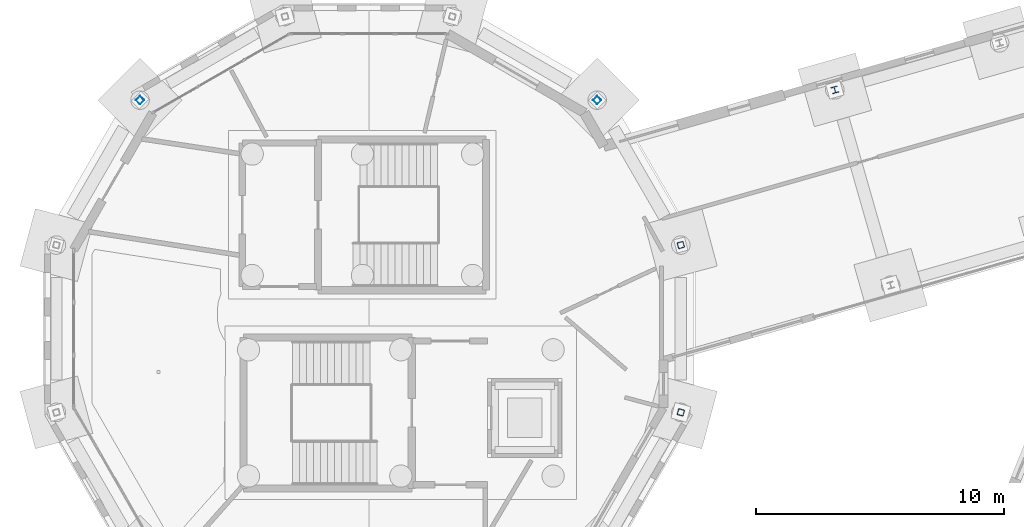
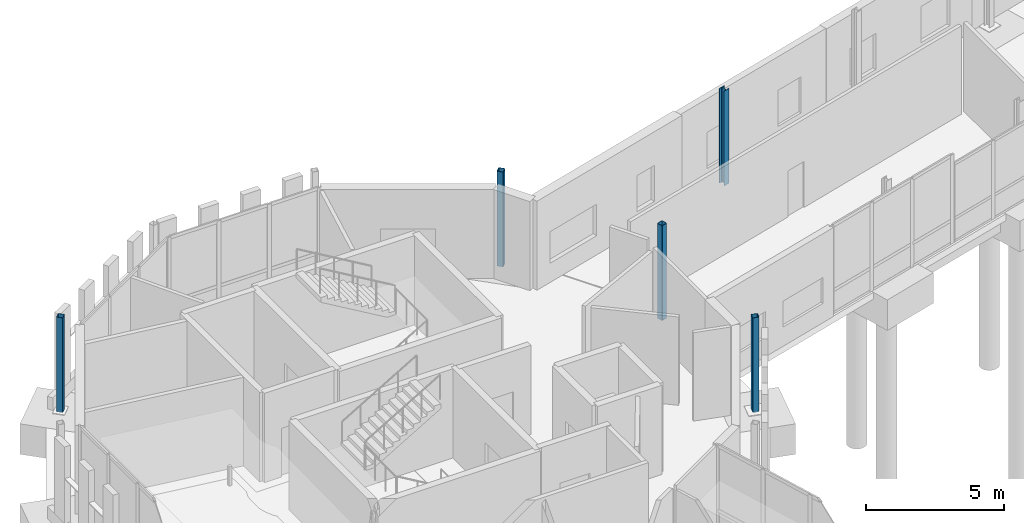
# One storey, part 13 of 113: 5 columns.
"""IFC4 building model written with IfcOpenShell, lengths in metres."""

import ifcopenshell
import ifcopenshell.guid

model = None  # the IFC model being written
_history = None  # IfcOwnerHistory: only IFC2X3 demands one
_inside = {}  # id of a spatial element -> (the spatial element, [elements in it])
_under = {}  # id of a project, library or spatial element -> (it, [spatial elements below it])
_declared = {}  # id of a project -> (the project, [libraries it declares])
_typed = {}  # id of a type object -> (the type object, [elements of that type])
_made_of = {}  # id of a material, layer set ... -> (it, [elements and type objects made of it])


def new_model(schema):
    """Start an empty IFC model of exactly this schema.

    Asked for "IFC4X3", IfcOpenShell would pick the latest addendum, in which some entities
    have other attributes; the version numbers below select the first issue.
    IFC2X3 requires an IfcOwnerHistory on every rooted entity: one is made here for all.
    """
    global model, _history
    if schema == "IFC4X3":
        model = ifcopenshell.file(schema_version=(4, 3, 0, 0))
    else:
        model = ifcopenshell.file(schema=schema)
    _inside.clear()
    _under.clear()
    _declared.clear()
    _typed.clear()
    _made_of.clear()
    _history = None
    if model.schema == "IFC2X3":
        org = make("IfcOrganization", Name="unknown")
        user = make(
            "IfcPersonAndOrganization",
            ThePerson=make("IfcPerson", FamilyName="unknown"),
            TheOrganization=org,
        )
        app = make(
            "IfcApplication",
            ApplicationDeveloper=org,
            Version="unknown",
            ApplicationFullName="unknown",
            ApplicationIdentifier="unknown",
        )
        _history = make(
            "IfcOwnerHistory",
            OwningUser=user,
            OwningApplication=app,
            ChangeAction="ADDED",
            CreationDate=0,
        )
    return model


def make(cls, **values):
    """One entity of the class cls with the attributes given. An attribute that is None is left unset."""
    return model.create_entity(
        cls, **{name: value for name, value in values.items() if value is not None}
    )


def rooted(cls, **values):
    """An entity with a GlobalId (a new one), such as an element, a storey or a relation."""
    return make(cls, GlobalId=ifcopenshell.guid.new(), OwnerHistory=_history, **values)


def si_unit(unit_type, name, prefix=None):
    """IfcSIUnit, for example si_unit("LENGTHUNIT", "METRE", prefix="MILLI")."""
    return make("IfcSIUnit", UnitType=unit_type, Prefix=prefix, Name=name)


def assignment(units):
    """IfcUnitAssignment: the units of a project."""
    return None if units is None else make("IfcUnitAssignment", Units=units)


def point(xyz):
    """IfcCartesianPoint."""
    return None if xyz is None else make("IfcCartesianPoint", Coordinates=xyz)


def direction(xyz):
    """IfcDirection."""
    return None if xyz is None else make("IfcDirection", DirectionRatios=xyz)


def frame(location, z_axis=None, x_axis=None):
    """IfcAxis2Placement3D, a coordinate frame: its origin and axes. An axis left out is left unset."""
    return make(
        "IfcAxis2Placement3D",
        Location=point(location),
        Axis=direction(z_axis),
        RefDirection=direction(x_axis),
    )


def frame_2d(location, x_axis=None):
    """IfcAxis2Placement2D, a coordinate frame in the plane: its origin and x axis."""
    return make(
        "IfcAxis2Placement2D", Location=point(location), RefDirection=direction(x_axis)
    )


def origin():
    """The frame at (0, 0, 0) with its axes left unset."""
    return frame((0.0, 0.0, 0.0))


def origin_2d():
    """The frame at (0, 0) in the plane with its x axis left unset."""
    return frame_2d((0.0, 0.0))


def place(relative_to, where):
    """IfcLocalPlacement: puts the frame where relative to a parent placement (None: the world)."""
    return make(
        "IfcLocalPlacement", PlacementRelTo=relative_to, RelativePlacement=where
    )


def context(
    kind, dimensions, precision=None, world=None, true_north=None, identifier=None
):
    """IfcGeometricRepresentationContext, for example the 3D "Model" context."""
    return make(
        "IfcGeometricRepresentationContext",
        ContextIdentifier=identifier,
        ContextType=kind,
        CoordinateSpaceDimension=dimensions,
        Precision=precision,
        WorldCoordinateSystem=world,
        TrueNorth=true_north,
    )


def subcontext(parent, identifier, kind, view, scale=None):
    """IfcGeometricRepresentationSubContext, for example "Body" below "Model"."""
    return make(
        "IfcGeometricRepresentationSubContext",
        ContextIdentifier=identifier,
        ContextType=kind,
        ParentContext=parent,
        TargetScale=scale,
        TargetView=view,
    )


def project(units=None, contexts=None):
    """IfcProject with its units and contexts."""
    return rooted(
        "IfcProject",
        Name="project",
        RepresentationContexts=contexts,
        UnitsInContext=assignment(units),
    )


def spatial(cls, under=None, at=None, **own):
    """A site, building, storey or space (cls), placed at a placement, below another one or the project."""
    s = rooted(cls, ObjectPlacement=at, **own)
    if under is not None:
        _under.setdefault(under.id(), (under, []))[1].append(s)
    return s


def profile(cls, at=None, kind="AREA", **sizes):
    """A parametric profile (cls). Its sizes go by their IFC names, for example OverallWidth=200.0."""
    return make(cls, ProfileType=kind, Position=at, **sizes)


def hollow_rectangle(**sizes):
    """IfcRectangleHollowProfileDef."""
    return profile("IfcRectangleHollowProfileDef", **sizes)


def i_section(**sizes):
    """IfcIShapeProfileDef."""
    return profile("IfcIShapeProfileDef", **sizes)


def extrude(swept, where, along, depth):
    """IfcExtrudedAreaSolid: the profile swept, set in the frame where, extruded along a direction by depth."""
    return make(
        "IfcExtrudedAreaSolid",
        SweptArea=swept,
        Position=where,
        ExtrudedDirection=direction(along),
        Depth=depth,
    )


def shape(context_of_items, identifier, shape_type, items):
    """IfcShapeRepresentation: the items that make up one representation, for example the "Body"."""
    return make(
        "IfcShapeRepresentation",
        ContextOfItems=context_of_items,
        RepresentationIdentifier=identifier,
        RepresentationType=shape_type,
        Items=items,
    )


def material(Name=None, Category=None):
    """IfcMaterial."""
    return make("IfcMaterial", Name=Name, Category=Category)


def material_profile(
    of_material, cross_section, Name=None, Category=None, Priority=None
):
    """IfcMaterialProfile: a cross section and its material."""
    return make(
        "IfcMaterialProfile",
        Name=Name,
        Material=of_material,
        Profile=cross_section,
        Priority=Priority,
        Category=Category,
    )


def profile_set(profiles, Name=None, composite=None):
    """IfcMaterialProfileSet."""
    return make(
        "IfcMaterialProfileSet",
        Name=Name,
        MaterialProfiles=profiles,
        CompositeProfile=composite,
    )


def made_of(thing, what):
    """Note that an element or type object is made of a material, layer set ...; save() writes the relation."""
    if what is not None:
        _made_of.setdefault(what.id(), (what, []))[1].append(thing)
    return thing


def type_object(cls, material=None, **own):
    """A type object (cls), such as IfcWallType, which elements share."""
    return made_of(rooted(cls, **own), material)


def element(
    cls,
    number,
    at=None,
    inside=None,
    cuts=None,
    type_object=None,
    material=None,
    context=None,
    identifier="Body",
    shape_type=None,
    held_by="IfcProductDefinitionShape",
    body=None,
    shapes=None,
    **own,
):
    """One element of the class cls, such as IfcWall. Its Tag is "e" and its number.

    at: its placement. inside: the storey or other place that contains it. cuts: it is an
    opening in that element (IfcRelVoidsElement). A single representation is given by context,
    identifier, shape_type and body (its items); several are given by shapes. held_by: the class
    of the entity that holds the representations. save() writes the other relations.
    """
    e = rooted(cls, Tag="e%d" % number, ObjectPlacement=at, **own)
    if body is not None:
        shapes = [shape(context, identifier, shape_type, body)]
    if shapes is not None:
        e.Representation = make(held_by, Representations=shapes)
    if inside is not None:
        _inside.setdefault(inside.id(), (inside, []))[1].append(e)
    if cuts is not None:
        rooted(
            "IfcRelVoidsElement", RelatingBuildingElement=cuts, RelatedOpeningElement=e
        )
    if type_object is not None:
        _typed.setdefault(type_object.id(), (type_object, []))[1].append(e)
    return made_of(e, material)


def aggregate(whole, parts):
    """IfcRelAggregates: a whole, such as a stair, and the parts it consists of."""
    return rooted("IfcRelAggregates", RelatingObject=whole, RelatedObjects=parts)


def save(model, path):
    """Write the relations noted so far, then the file.

    IfcRelAggregates (storeys below a building ...), IfcRelContainedInSpatialStructure (elements
    in a storey), IfcRelDefinesByType, IfcRelAssociatesMaterial and IfcRelDeclares: one each for
    every whole, place, type object, material and project.
    """
    for whole, parts in _under.values():
        aggregate(whole, parts)
    for where, things in _inside.values():
        rooted(
            "IfcRelContainedInSpatialStructure",
            RelatedElements=things,
            RelatingStructure=where,
        )
    for kind, things in _typed.values():
        rooted("IfcRelDefinesByType", RelatedObjects=things, RelatingType=kind)
    for what, things in _made_of.values():
        rooted("IfcRelAssociatesMaterial", RelatedObjects=things, RelatingMaterial=what)
    for by, libraries in _declared.values():
        rooted("IfcRelDeclares", RelatingContext=by, RelatedDefinitions=libraries)
    model.write(path)


model = new_model("IFC4")

# Units and contexts
model_context = context("Model", 3, precision=1e-05, world=origin(), true_north=direction((0.0, 1.0)))
body_context = subcontext(model_context, "Body", "Model", "MODEL_VIEW")
ifc_project = project(units=[si_unit("LENGTHUNIT", "METRE"), si_unit("AREAUNIT", "SQUARE_METRE"), si_unit("VOLUMEUNIT", "CUBIC_METRE"), si_unit("PLANEANGLEUNIT", "RADIAN"), si_unit("MASSUNIT", "GRAM", prefix="KILO")], contexts=[model_context])

# Site, building, storey
site_placement = place(None, origin())
site = spatial("IfcSite", under=ifc_project, at=site_placement, CompositionType="ELEMENT")
building_placement = place(site_placement, origin())
building = spatial("IfcBuilding", under=site, at=building_placement, Name="Wrenclough Park School", CompositionType="ELEMENT")
storey_placement = place(building_placement, origin())
storey = spatial("IfcBuildingStorey", under=building, at=storey_placement, Name="L00", CompositionType="ELEMENT", Elevation=0.0)

# Columns
ifc_material = material(Name="Structural steel S355", Category="steel")
ifc_material_profile_1 = material_profile(ifc_material, hollow_rectangle(XDim=0.25, YDim=0.25, WallThickness=0.012451171875, InnerFilletRadius=0.012451171875, OuterFilletRadius=0.018798828125, at=origin_2d()), Name="SHS 250x250x12.5")
ifc_profile_set_1 = profile_set([ifc_material_profile_1], Name="Structural steel S355")
column_type_1 = type_object("IfcColumnType", Name="STR-COL-SHS250", PredefinedType="COLUMN", material=ifc_profile_set_1)
for number, where, z_axis, x_axis, name in (
    (1, (29.105224609375, 92.877685546875, 0.0), (0.0, 0.0, 1.0), (-0.258819045103, 0.965925826289, 0.0), "D3 L00 column D3-OUT-01"),
    (2, (25.727783203125, 98.727783203125, 0.0), (0.0, 0.0, 1.0), (-0.707106781187, 0.707106781187, 0.0), "D3 L00 column D3-OUT-02"),
    (3, (7.272216796875, 98.727783203125, 0.0), (0.0, 0.0, 1.0), (-0.707106781187, -0.707106781187, 0.0), "D3 L00 column D3-OUT-05"),
    (4, (29.105224609375, 86.122314453125, 0.0), (0.0, 0.0, 1.0), (0.258819045103, 0.965925826289, 0.0), "D3 L00 column D3-OUT-12"),
):
    element("IfcColumn", number, at=place(storey_placement, frame(where, z_axis=z_axis, x_axis=x_axis)), inside=storey, type_object=column_type_1, Name=name, PredefinedType="COLUMN", context=body_context, shape_type="SweptSolid", body=[
        extrude(hollow_rectangle(XDim=0.25, YDim=0.25, WallThickness=0.012451171875, InnerFilletRadius=0.012451171875, OuterFilletRadius=0.018798828125, at=origin_2d()), origin(), (0.0, 0.0, 1.0), 4.199951171875),
    ])
ifc_material_profile_2 = material_profile(ifc_material, i_section(OverallWidth=0.254638671875, OverallDepth=0.254150390625, WebThickness=0.008544921875, FlangeThickness=0.01416015625, FilletRadius=0.0126953125, at=origin_2d()), Name="UKC 254x254x73")
ifc_profile_set_2 = profile_set([ifc_material_profile_2], Name="Structural steel S355")
column_type_2 = type_object("IfcColumnType", Name="STR-COL-UKC254A", PredefinedType="COLUMN", material=ifc_profile_set_2)
column_placement = place(storey_placement, frame((35.323486328125, 99.14208984375, 0.0), z_axis=(0.0, 0.0, 1.0), x_axis=(0.961501868857, 0.27479839189, 0.0)))
element("IfcColumn", 5, at=column_placement, inside=storey, type_object=column_type_2, Name="W34 L00 column W34-C1-L03", PredefinedType="COLUMN", context=body_context, shape_type="SweptSolid", body=[
    extrude(i_section(OverallWidth=0.254638671875, OverallDepth=0.254150390625, WebThickness=0.008544921875, FlangeThickness=0.01416015625, FilletRadius=0.0126953125, at=origin_2d()), origin(), (0.0, 0.0, 1.0), 4.199951171875),
])

save(model, "model.ifc")
